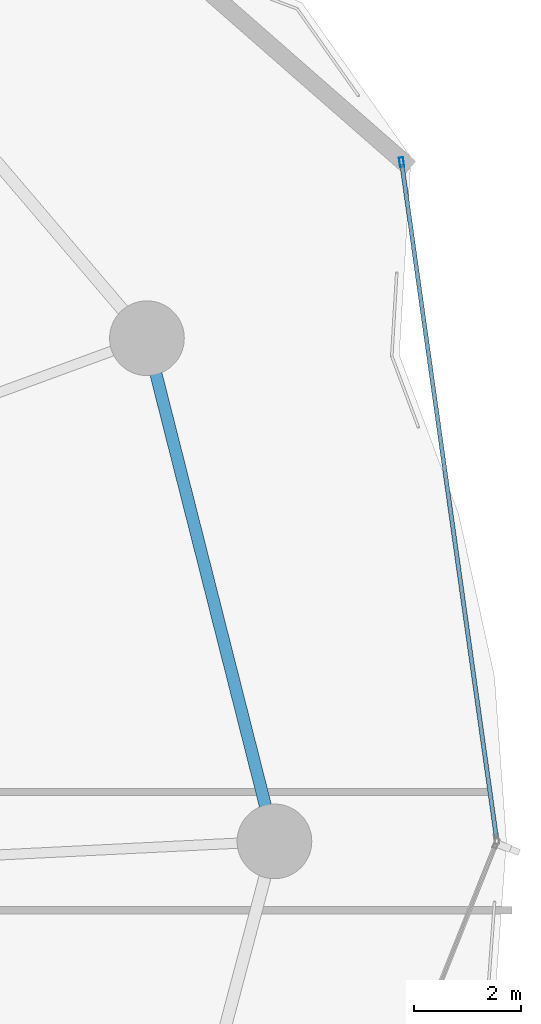
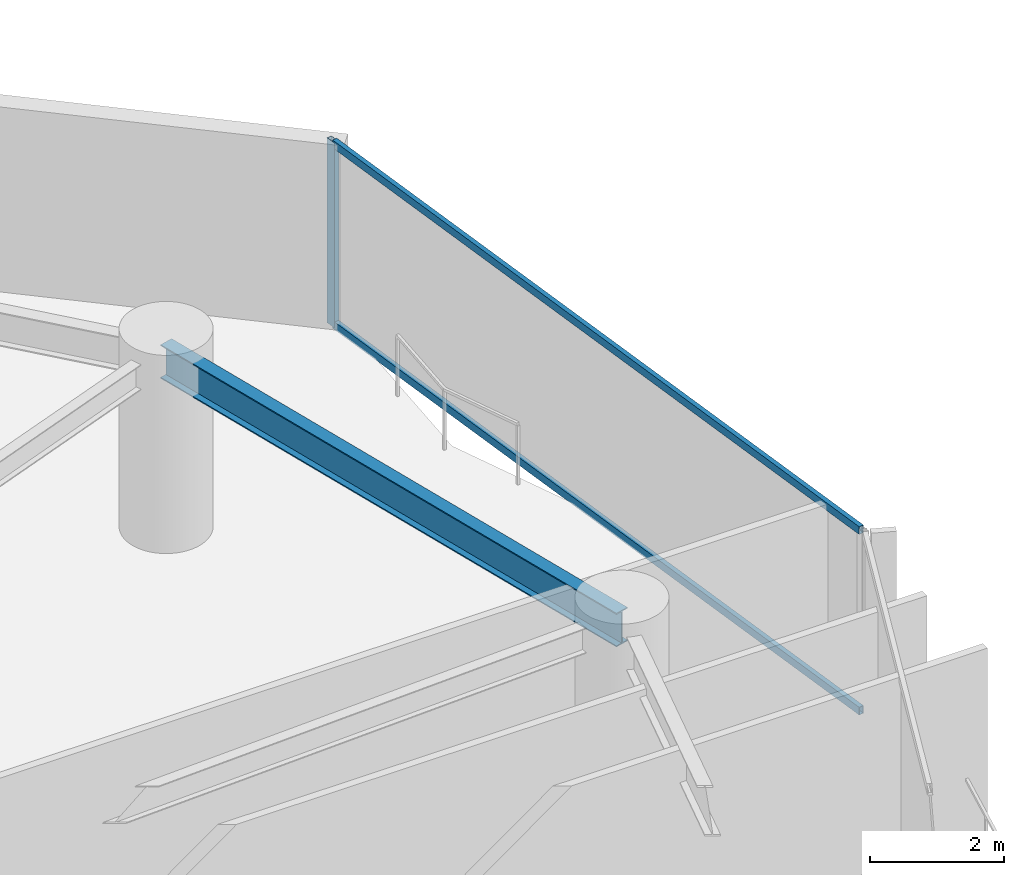
# One storey, part 23 of 32: 3 members, 1 beam, 1 element without a shape of its own.
"""IFC4 building model written with IfcOpenShell, lengths in metres."""

from ifc_helpers import new_model, si_unit, direction, frame, origin, origin_2d, place, context, subcontext, project, spatial, hollow_rectangle, i_section, extrude, material, layer, layer_set, material_profile, profile_set, type_object, element, aggregate, save


model = new_model("IFC4")

# Units and contexts
model_context = context("Model", 3, precision=1e-05, world=origin(), true_north=direction((0.0, 1.0)))
body_context = subcontext(model_context, "Body", "Model", "MODEL_VIEW")
ifc_project = project(units=[si_unit("LENGTHUNIT", "METRE"), si_unit("AREAUNIT", "SQUARE_METRE"), si_unit("VOLUMEUNIT", "CUBIC_METRE"), si_unit("PLANEANGLEUNIT", "RADIAN"), si_unit("MASSUNIT", "GRAM", prefix="KILO")], contexts=[model_context])

# Site, building, storey
site_placement = place(None, origin())
site = spatial("IfcSite", under=ifc_project, at=site_placement, CompositionType="ELEMENT")
building_placement = place(site_placement, origin())
building = spatial("IfcBuilding", under=site, at=building_placement, Name="Kazevale Care Tower and Concert Hall", CompositionType="ELEMENT")
storey_placement = place(building_placement, frame((0.0, 0.0, 38.39990234375)))
storey = spatial("IfcBuildingStorey", under=building, at=storey_placement, Name="L09", CompositionType="ELEMENT", Elevation=38.39990234375)

# Curtain wall, members
ifc_material_1 = material(Name="Aluminium 6063-T6 and Low-E Glass", Category="aluminium")
ifc_layer = layer(ifc_material_1, 0.179931640625)
ifc_layer_set = layer_set([ifc_layer], Name="Aluminium 6063-T6 and Low-E Glass")
curtain_wall_type = type_object("IfcCurtainWallType", Name="Waist & Upper Residential Curtain Wall CW-4", PredefinedType="NOTDEFINED", material=ifc_layer_set)
curtain_wall_placement = place(storey_placement, origin())
curtain_wall = element("IfcCurtainWall", 1, at=curtain_wall_placement, inside=storey, type_object=curtain_wall_type, Name="cw:L09:f18", PredefinedType="NOTDEFINED")
ifc_material_2 = material(Name="Aluminium 6063-T6", Category="aluminium")
ifc_material_profile_1 = material_profile(ifc_material_2, hollow_rectangle(XDim=0.080078125, YDim=0.179931640625, WallThickness=0.0048828125, at=origin_2d()), Name="ALU80x180x5")
ifc_profile_set_1 = profile_set([ifc_material_profile_1], Name="Aluminium 6063-T6")
member_type_1 = type_object("IfcMemberType", Name="CW-4 Mullion ALU80x180x5", PredefinedType="MULLION", material=ifc_profile_set_1)
member_1_placement = place(storey_placement, frame((78.83349609375, 50.7294921875, 0.0), z_axis=(0.0, 0.0, 1.0), x_axis=(0.990295475282, 0.138977953775, 0.0)))
member_1 = element("IfcMember", 2, at=member_1_placement, type_object=member_type_1, Name="CW-4 mullion 1", PredefinedType="MULLION", context=body_context, shape_type="SweptSolid", body=[
    extrude(hollow_rectangle(XDim=0.080078125, YDim=0.179931640625, WallThickness=0.0048828125, at=origin_2d()), origin(), (0.0, 0.0, 1.0), 3.360107421875),
])
ifc_material_profile_2 = material_profile(ifc_material_2, hollow_rectangle(XDim=0.080078125, YDim=0.139892578125, WallThickness=0.00390625, at=origin_2d()), Name="ALU80x140x4")
ifc_profile_set_2 = profile_set([ifc_material_profile_2], Name="Aluminium 6063-T6")
member_type_2 = type_object("IfcMemberType", Name="CW-4 Transom ALU80x140x4", PredefinedType="USERDEFINED", material=ifc_profile_set_2)
member_2_placement = place(storey_placement, frame((78.839111328125, 50.689697265625, 0.0400390625), z_axis=(0.138981041567, -0.990295041937, 0.0), x_axis=(0.990295041937, 0.138981041567, 0.0)))
member_2 = element("IfcMember", 3, at=member_2_placement, type_object=member_type_2, Name="CW-4 transom 1.1", ObjectType="TRANSOM", PredefinedType="USERDEFINED", context=body_context, shape_type="SweptSolid", body=[
    extrude(hollow_rectangle(XDim=0.080078125, YDim=0.139892578125, WallThickness=0.00390625, at=origin_2d()), origin(), (0.0, 0.0, 1.0), 12.73388671875),
])
member_3_placement = place(storey_placement, frame((78.839111328125, 50.689697265625, 3.320068359375), z_axis=(0.138981041567, -0.990295041937, 0.0), x_axis=(0.990295041937, 0.138981041567, 0.0)))
member_3 = element("IfcMember", 4, at=member_3_placement, type_object=member_type_2, Name="CW-4 transom 1.2", ObjectType="TRANSOM", PredefinedType="USERDEFINED", context=body_context, shape_type="SweptSolid", body=[
    extrude(hollow_rectangle(XDim=0.080078125, YDim=0.139892578125, WallThickness=0.00390625, at=origin_2d()), origin(), (0.0, 0.0, 1.0), 12.73388671875),
])
aggregate(curtain_wall, [member_1, member_2, member_3])

# Beam
ifc_material_3 = material(Name="Steel ASTM A572 Gr 50", Category="steel")
ifc_material_profile_3 = material_profile(ifc_material_3, i_section(OverallWidth=0.22900390625, OverallDepth=0.612060546875, WebThickness=0.011962890625, FlangeThickness=0.01953125, at=origin_2d()), Name="W610x125")
ifc_profile_set_3 = profile_set([ifc_material_profile_3], Name="Steel ASTM A572 Gr 50")
beam_type = type_object("IfcBeamType", Name="Ring Spandrel Beam W610x125", PredefinedType="SPANDREL", material=ifc_profile_set_3)
beam_placement = place(storey_placement, frame((76.449951171875, 38.0, 3.05419921875), z_axis=(-0.245669948409, 0.969353535326, 0.0), x_axis=(-0.969353535326, -0.245669948409, 0.0)))
element("IfcBeam", 5, at=beam_placement, inside=storey, type_object=beam_type, Name="beam:L09:ring:01", PredefinedType="SPANDREL", context=body_context, shape_type="SweptSolid", body=[
    extrude(i_section(OverallWidth=0.22900390625, OverallDepth=0.612060546875, WebThickness=0.011962890625, FlangeThickness=0.01953125, at=origin_2d()), origin(), (0.0, 0.0, 1.0), 9.72802734375),
])

save(model, "model.ifc")
